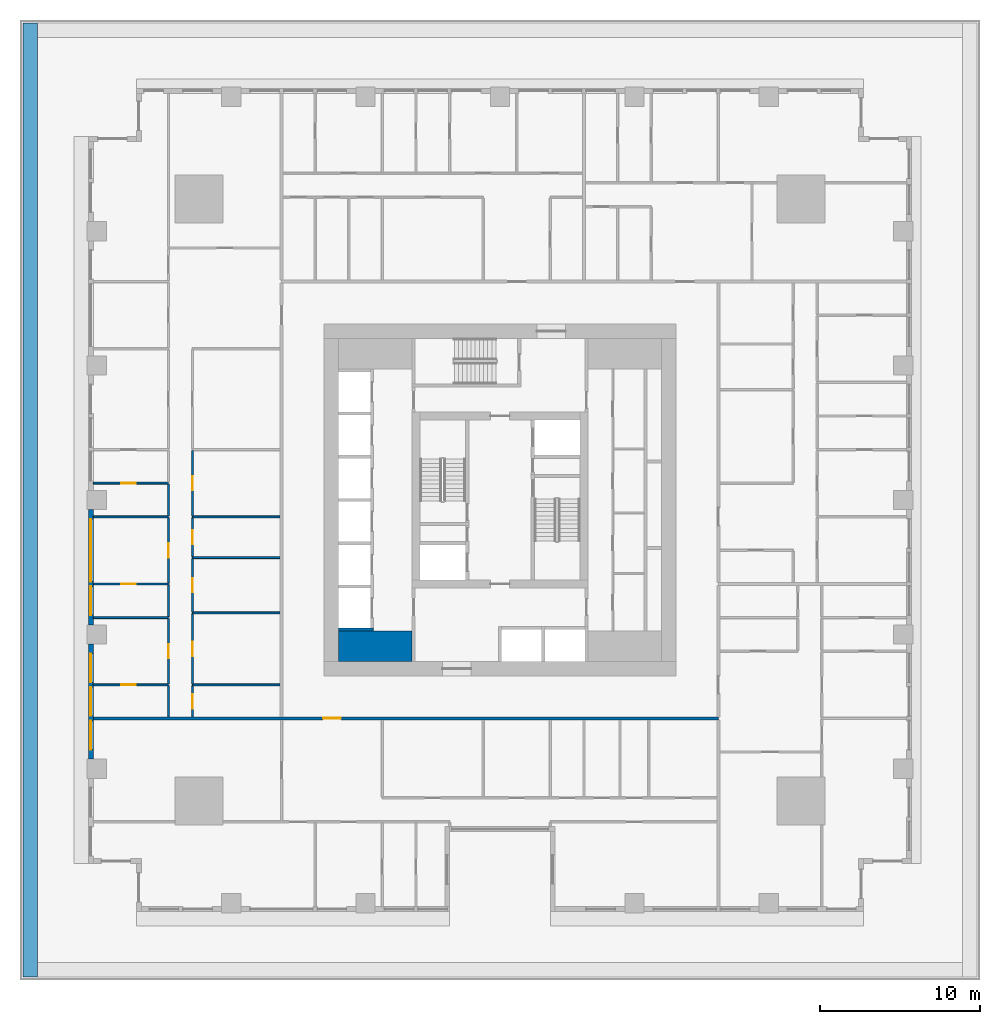
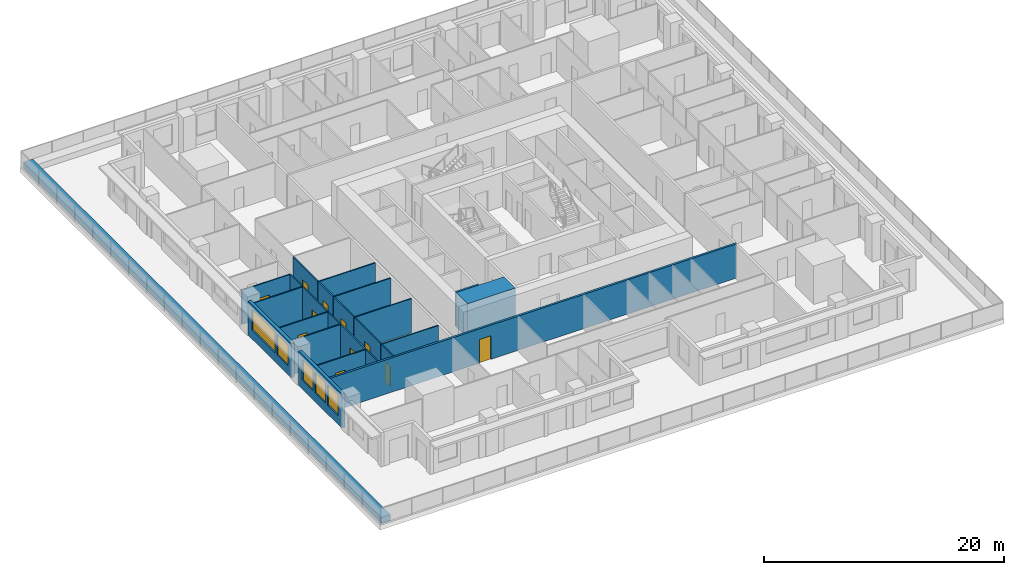
# One storey, part 3 of 16: 25 walls, 11 doors, 5 windows, 16 openings.
"""IFC4 building model written with IfcOpenShell, lengths in metres."""

from ifc_helpers import new_model, si_unit, direction, frame, frame_2d, origin, place, context, subcontext, project, spatial, rectangle, extrude, material, layer, layer_set, type_object, element, fill, save


model = new_model("IFC4")

# Units and contexts
model_context = context("Model", 3, precision=1e-05, world=origin(), true_north=direction((0.0, 1.0)))
body_context = subcontext(model_context, "Body", "Model", "MODEL_VIEW")
ifc_project = project(units=[si_unit("LENGTHUNIT", "METRE"), si_unit("AREAUNIT", "SQUARE_METRE"), si_unit("VOLUMEUNIT", "CUBIC_METRE"), si_unit("PLANEANGLEUNIT", "RADIAN"), si_unit("MASSUNIT", "GRAM", prefix="KILO")], contexts=[model_context])

# Site, building, storey
site_placement = place(None, origin())
site = spatial("IfcSite", under=ifc_project, at=site_placement, CompositionType="ELEMENT")
building_placement = place(site_placement, origin())
building = spatial("IfcBuilding", under=site, at=building_placement, Name="Khepri Terraces", CompositionType="ELEMENT")
storey_placement = place(building_placement, frame((0.0, 0.0, 27.0)))
storey = spatial("IfcBuildingStorey", under=building, at=storey_placement, Name="L05", CompositionType="ELEMENT", Elevation=27.0)

# Walls
ifc_material_1 = material(Name="Concrete C80/95", Category="concrete")
ifc_layer_1 = layer(ifc_material_1, 1.89990234375, Name="Concrete C80/95", Category="concrete")
ifc_layer_set_1 = layer_set([ifc_layer_1], Name="Concrete C80/95")
wall_type_1 = type_object("IfcWallType", Name="Core wall 1900 C80/95", PredefinedType="SHEAR", material=ifc_layer_set_1)
wall_1_placement = place(storey_placement, frame((-10.10009765625, -9.14990234375, 0.0), z_axis=(0.0, 0.0, 1.0), x_axis=(1.0, 0.0, 0.0)))
element("IfcWall", 1, at=wall_1_placement, inside=storey, type_object=wall_type_1, Name="Core wall PR01 L05", PredefinedType="SHEAR", context=body_context, shape_type="SweptSolid", body=[
    extrude(rectangle(XDim=4.60009765625, YDim=1.89990234375, at=frame_2d((2.300048828125, 0.0))), origin(), (0.0, 0.0, 1.0), 3.47998046875),
])
ifc_layer_2 = layer(ifc_material_1, 0.199951171875, Name="Concrete C80/95", Category="concrete")
ifc_layer_set_2 = layer_set([ifc_layer_2], Name="Concrete C80/95")
wall_type_2 = type_object("IfcWallType", Name="Core wall 200 C80/95", PredefinedType="SHEAR", material=ifc_layer_set_2)
wall_2_placement = place(storey_placement, frame((-10.10009765625, -8.10009765625, 0.0), z_axis=(0.0, 0.0, 1.0), x_axis=(1.0, 0.0, 0.0)))
element("IfcWall", 2, at=wall_2_placement, inside=storey, type_object=wall_type_2, Name="Core wall SH04 L05", PredefinedType="SHEAR", context=body_context, shape_type="SweptSolid", body=[
    extrude(rectangle(XDim=2.2001953125, YDim=0.199951171875, at=frame_2d((1.10009765625, 0.0))), origin(), (0.0, 0.0, 1.0), 3.47998046875),
])

# Wall, opening, door
ifc_material_2 = material(Name="Fire-rated gypsum plasterboard partition, mineral wool")
ifc_layer_3 = layer(ifc_material_2, 0.199951171875, Name="Fire-rated gypsum plasterboard partition, mineral wool")
ifc_layer_set_3 = layer_set([ifc_layer_3], Name="Fire-rated gypsum plasterboard partition, mineral wool")
wall_type_3 = type_object("IfcWallType", Name="WL-CORR-200", PredefinedType="PARTITIONING", material=ifc_layer_set_3)
wall_3_placement = place(storey_placement, frame((-25.419921875, -13.64990234375, 0.0), z_axis=(0.0, 0.0, 1.0), x_axis=(1.0, 0.0, 0.0)))
wall_3 = element("IfcWall", 3, at=wall_3_placement, inside=storey, type_object=wall_type_3, Name="Partition P-022 L05", PredefinedType="PARTITIONING", context=body_context, shape_type="SweptSolid", body=[
    extrude(rectangle(XDim=39.06982421875, YDim=0.199951171875, at=frame_2d((19.534912109375, 0.0))), origin(), (0.0, 0.0, 1.0), 3.47998046875),
])
opening_1_placement = place(wall_3_placement, frame((14.3701171875, 0.0, 0.0)))
opening_1 = element("IfcOpeningElement", 4, at=opening_1_placement, cuts=wall_3, Name="Opening D1", PredefinedType="OPENING", context=body_context, shape_type="SweptSolid", body=[
    extrude(rectangle(XDim=1.10009765625, YDim=2.39990234375, at=frame_2d((0.550048828125, 1.199951171875))), frame((0.0, 0.10986328125, 0.0), z_axis=(0.0, -1.0, 0.0), x_axis=(1.0, 0.0, 0.0)), (0.0, 0.0, 1.0), 0.219970703125),
])
ifc_material_3 = material(Name="Solid-core timber door leaf, flat entrance door", Category="wood")
door_type_1 = type_object("IfcDoorType", Name="DR-ENT-1100", OperationType="NOTDEFINED", PredefinedType="DOOR", material=ifc_material_3)
door_1_placement = place(opening_1_placement, frame((1.10009765625, 0.0, 0.0), z_axis=(0.0, 0.0, 1.0), x_axis=(-1.0, 0.0, 0.0)))
door_1 = element("IfcDoor", 5, at=door_1_placement, inside=storey, type_object=door_type_1, Name="Flat A1 entrance door", OperationType="SINGLE_SWING_RIGHT", OverallHeight=2.39990234375, OverallWidth=1.10009765625, PredefinedType="DOOR", context=body_context, shape_type="SweptSolid", body=[
    extrude(rectangle(XDim=1.10009765625, YDim=2.39990234375, at=frame_2d((0.550048828125, 1.199951171875))), frame((0.0, 0.02490234375, 0.0), z_axis=(0.0, -1.0, 0.0), x_axis=(1.0, 0.0, 0.0)), (0.0, 0.0, 1.0), 0.050048828125),
])
fill(opening_1, door_1)

# Wall, openings, windows
ifc_material_4 = material(Name="Precast concrete C50/60 warm stone", Category="masonry")
ifc_layer_4 = layer(ifc_material_4, 0.300048828125, Name="Precast concrete C50/60 warm stone", Category="masonry")
ifc_layer_set_4 = layer_set([ifc_layer_4], Name="Precast concrete C50/60 warm stone")
wall_type_4 = type_object("IfcWallType", Name="WL-EXT-PRECAST-300", PredefinedType="STANDARD", material=ifc_layer_set_4)
wall_4_placement = place(storey_placement, frame((-25.570068359375, -0.60009765625, 0.0), z_axis=(0.0, 0.0, 1.0), x_axis=(0.0, -1.0, 0.0)))
wall_4 = element("IfcWall", 6, at=wall_4_placement, inside=storey, type_object=wall_type_4, Name="External wall L05 W", PredefinedType="STANDARD", context=body_context, shape_type="SweptSolid", body=[
    extrude(rectangle(XDim=7.199951171875, YDim=0.300048828125, at=frame_2d((3.60009765625, 0.0))), origin(), (0.0, 0.0, 1.0), 3.47998046875),
])
opening_2_placement = place(wall_4_placement, frame((0.60009765625, 0.0, 0.89990234375)))
opening_2 = element("IfcOpeningElement", 7, at=opening_2_placement, cuts=wall_4, Name="Opening W2", PredefinedType="OPENING", context=body_context, shape_type="SweptSolid", body=[
    extrude(rectangle(XDim=3.89990234375, YDim=2.10009765625, at=frame_2d((1.949951171875, 1.050048828125))), frame((0.0, 0.16015625, 0.0), z_axis=(0.0, -1.0, 0.0), x_axis=(1.0, 0.0, 0.0)), (0.0, 0.0, 1.0), 0.320068359375),
])
opening_3_placement = place(wall_4_placement, frame((4.800048828125, 0.0, 0.89990234375)))
opening_3 = element("IfcOpeningElement", 8, at=opening_3_placement, cuts=wall_4, Name="Opening W1", PredefinedType="OPENING", context=body_context, shape_type="SweptSolid", body=[
    extrude(rectangle(XDim=1.800048828125, YDim=2.10009765625, at=frame_2d((0.89990234375, 1.050048828125))), frame((0.0, 0.16015625, 0.0), z_axis=(0.0, -1.0, 0.0), x_axis=(1.0, 0.0, 0.0)), (0.0, 0.0, 1.0), 0.320068359375),
])
ifc_material_5 = material(Name="Clear glass", Category="glass")
window_type_1 = type_object("IfcWindowType", Name="WIN-RES-1800x2100", PartitioningType="SINGLE_PANEL", PredefinedType="WINDOW", material=ifc_material_5)
window_1_placement = place(opening_3_placement, origin())
window_1 = element("IfcWindow", 9, at=window_1_placement, inside=storey, type_object=window_type_1, Name="Window L05 W", OverallHeight=2.10009765625, OverallWidth=1.800048828125, PartitioningType="SINGLE_PANEL", PredefinedType="WINDOW", context=body_context, shape_type="SweptSolid", body=[
    extrude(rectangle(XDim=1.800048828125, YDim=2.10009765625, at=frame_2d((0.89990234375, 1.050048828125))), frame((0.0, 0.030029296875, 0.0), z_axis=(0.0, -1.0, 0.0), x_axis=(1.0, 0.0, 0.0)), (0.0, 0.0, 1.0), 0.06005859375),
])
fill(opening_3, window_1)
window_type_2 = type_object("IfcWindowType", Name="WIN-RES-3900x2100", PartitioningType="SINGLE_PANEL", PredefinedType="WINDOW", material=ifc_material_5)
window_2_placement = place(opening_2_placement, origin())
window_2 = element("IfcWindow", 10, at=window_2_placement, inside=storey, type_object=window_type_2, Name="Window L05 W", OverallHeight=2.10009765625, OverallWidth=3.89990234375, PartitioningType="SINGLE_PANEL", PredefinedType="WINDOW", context=body_context, shape_type="SweptSolid", body=[
    extrude(rectangle(XDim=3.89990234375, YDim=2.10009765625, at=frame_2d((1.949951171875, 1.050048828125))), frame((0.0, 0.030029296875, 0.0), z_axis=(0.0, -1.0, 0.0), x_axis=(1.0, 0.0, 0.0)), (0.0, 0.0, 1.0), 0.06005859375),
])
fill(opening_2, window_2)

wall_5_placement = place(storey_placement, frame((-25.570068359375, -9.0, 0.0), z_axis=(0.0, 0.0, 1.0), x_axis=(0.0, -1.0, 0.0)))
wall_5 = element("IfcWall", 11, at=wall_5_placement, inside=storey, type_object=wall_type_4, Name="External wall L05 W", PredefinedType="STANDARD", context=body_context, shape_type="SweptSolid", body=[
    extrude(rectangle(XDim=7.199951171875, YDim=0.300048828125, at=frame_2d((3.60009765625, 0.0))), origin(), (0.0, 0.0, 1.0), 3.47998046875),
])
opening_4_placement = place(wall_5_placement, frame((0.60009765625, 0.0, 0.89990234375)))
opening_4 = element("IfcOpeningElement", 12, at=opening_4_placement, cuts=wall_5, Name="Opening W1", PredefinedType="OPENING", context=body_context, shape_type="SweptSolid", body=[
    extrude(rectangle(XDim=1.800048828125, YDim=2.10009765625, at=frame_2d((0.89990234375, 1.050048828125))), frame((0.0, 0.16015625, 0.0), z_axis=(0.0, -1.0, 0.0), x_axis=(1.0, 0.0, 0.0)), (0.0, 0.0, 1.0), 0.320068359375),
])
opening_5_placement = place(wall_5_placement, frame((2.699951171875, 0.0, 0.89990234375)))
opening_5 = element("IfcOpeningElement", 13, at=opening_5_placement, cuts=wall_5, Name="Opening W1", PredefinedType="OPENING", context=body_context, shape_type="SweptSolid", body=[
    extrude(rectangle(XDim=1.800048828125, YDim=2.10009765625, at=frame_2d((0.89990234375, 1.050048828125))), frame((0.0, 0.16015625, 0.0), z_axis=(0.0, -1.0, 0.0), x_axis=(1.0, 0.0, 0.0)), (0.0, 0.0, 1.0), 0.320068359375),
])
opening_6_placement = place(wall_5_placement, frame((4.800048828125, 0.0, 0.89990234375)))
opening_6 = element("IfcOpeningElement", 14, at=opening_6_placement, cuts=wall_5, Name="Opening W1", PredefinedType="OPENING", context=body_context, shape_type="SweptSolid", body=[
    extrude(rectangle(XDim=1.800048828125, YDim=2.10009765625, at=frame_2d((0.89990234375, 1.050048828125))), frame((0.0, 0.16015625, 0.0), z_axis=(0.0, -1.0, 0.0), x_axis=(1.0, 0.0, 0.0)), (0.0, 0.0, 1.0), 0.320068359375),
])
window_3_placement = place(opening_4_placement, origin())
window_3 = element("IfcWindow", 15, at=window_3_placement, inside=storey, type_object=window_type_1, Name="Window L05 W", OverallHeight=2.10009765625, OverallWidth=1.800048828125, PartitioningType="SINGLE_PANEL", PredefinedType="WINDOW", context=body_context, shape_type="SweptSolid", body=[
    extrude(rectangle(XDim=1.800048828125, YDim=2.10009765625, at=frame_2d((0.89990234375, 1.050048828125))), frame((0.0, 0.030029296875, 0.0), z_axis=(0.0, -1.0, 0.0), x_axis=(1.0, 0.0, 0.0)), (0.0, 0.0, 1.0), 0.06005859375),
])
fill(opening_4, window_3)
window_4_placement = place(opening_5_placement, origin())
window_4 = element("IfcWindow", 16, at=window_4_placement, inside=storey, type_object=window_type_1, Name="Window L05 W", OverallHeight=2.10009765625, OverallWidth=1.800048828125, PartitioningType="SINGLE_PANEL", PredefinedType="WINDOW", context=body_context, shape_type="SweptSolid", body=[
    extrude(rectangle(XDim=1.800048828125, YDim=2.10009765625, at=frame_2d((0.89990234375, 1.050048828125))), frame((0.0, 0.030029296875, 0.0), z_axis=(0.0, -1.0, 0.0), x_axis=(1.0, 0.0, 0.0)), (0.0, 0.0, 1.0), 0.06005859375),
])
fill(opening_5, window_4)
window_5_placement = place(opening_6_placement, origin())
window_5 = element("IfcWindow", 17, at=window_5_placement, inside=storey, type_object=window_type_1, Name="Window L05 W", OverallHeight=2.10009765625, OverallWidth=1.800048828125, PartitioningType="SINGLE_PANEL", PredefinedType="WINDOW", context=body_context, shape_type="SweptSolid", body=[
    extrude(rectangle(XDim=1.800048828125, YDim=2.10009765625, at=frame_2d((0.89990234375, 1.050048828125))), frame((0.0, 0.030029296875, 0.0), z_axis=(0.0, -1.0, 0.0), x_axis=(1.0, 0.0, 0.0)), (0.0, 0.0, 1.0), 0.06005859375),
])
fill(opening_6, window_5)

# Wall
ifc_material_6 = material(Name="Gypsum plasterboard partition")
ifc_layer_5 = layer(ifc_material_6, 0.1201171875, Name="Gypsum plasterboard partition")
ifc_layer_set_5 = layer_set([ifc_layer_5], Name="Gypsum plasterboard partition")
wall_type_5 = type_object("IfcWallType", Name="WL-PART-120", PredefinedType="PARTITIONING", material=ifc_layer_set_5)
wall_6_placement = place(storey_placement, frame((-20.719970703125, -13.550048828125, 0.0), z_axis=(0.0, 0.0, 1.0), x_axis=(0.0, 1.0, 0.0)))
element("IfcWall", 18, at=wall_6_placement, inside=storey, type_object=wall_type_5, Name="Partition P-025 L05", PredefinedType="PARTITIONING", context=body_context, shape_type="SweptSolid", body=[
    extrude(rectangle(XDim=1.93994140625, YDim=0.1201171875, at=frame_2d((0.969970703125, 0.0))), origin(), (0.0, 0.0, 1.0), 3.47998046875),
])

# Wall, opening, door
wall_7_placement = place(storey_placement, frame((-19.219970703125, -13.550048828125, 0.0), z_axis=(0.0, 0.0, 1.0), x_axis=(0.0, 1.0, 0.0)))
wall_7 = element("IfcWall", 19, at=wall_7_placement, inside=storey, type_object=wall_type_5, Name="Partition P-026 L05", PredefinedType="PARTITIONING", context=body_context, shape_type="SweptSolid", body=[
    extrude(rectangle(XDim=1.93994140625, YDim=0.1201171875, at=frame_2d((0.969970703125, 0.0))), origin(), (0.0, 0.0, 1.0), 3.47998046875),
])
opening_7_placement = place(wall_7_placement, frame((0.5, 0.0, 0.0)))
opening_7 = element("IfcOpeningElement", 20, at=opening_7_placement, cuts=wall_7, Name="Opening D3", PredefinedType="OPENING", context=body_context, shape_type="SweptSolid", body=[
    extrude(rectangle(XDim=0.89990234375, YDim=2.10009765625, at=frame_2d((0.449951171875, 1.050048828125))), frame((0.0, 0.070068359375, 0.0), z_axis=(0.0, -1.0, 0.0), x_axis=(1.0, 0.0, 0.0)), (0.0, 0.0, 1.0), 0.14013671875),
])
ifc_material_7 = material(Name="Timber door leaf", Category="wood")
door_type_2 = type_object("IfcDoorType", Name="DR-INT-900", OperationType="NOTDEFINED", PredefinedType="DOOR", material=ifc_material_7)
door_2_placement = place(opening_7_placement, frame((0.89990234375, 0.0, 0.0), z_axis=(0.0, 0.0, 1.0), x_axis=(-1.0, 0.0, 0.0)))
door_2 = element("IfcDoor", 21, at=door_2_placement, inside=storey, type_object=door_type_2, Name="Door Utility Room", OperationType="SINGLE_SWING_RIGHT", OverallHeight=2.10009765625, OverallWidth=0.89990234375, PredefinedType="DOOR", context=body_context, shape_type="SweptSolid", body=[
    extrude(rectangle(XDim=0.89990234375, YDim=2.10009765625, at=frame_2d((0.449951171875, 1.050048828125))), frame((0.0, 0.02490234375, 0.0), z_axis=(0.0, -1.0, 0.0), x_axis=(1.0, 0.0, 0.0)), (0.0, 0.0, 1.0), 0.050048828125),
])
fill(opening_7, door_2)

wall_8_placement = place(storey_placement, frame((-25.419921875, -11.550048828125, 0.0), z_axis=(0.0, 0.0, 1.0), x_axis=(1.0, 0.0, 0.0)))
wall_8 = element("IfcWall", 22, at=wall_8_placement, inside=storey, type_object=wall_type_5, Name="Partition P-029 L05", PredefinedType="PARTITIONING", context=body_context, shape_type="SweptSolid", body=[
    extrude(rectangle(XDim=4.699951171875, YDim=0.1201171875, at=frame_2d((2.35009765625, 0.0))), origin(), (0.0, 0.0, 1.0), 3.47998046875),
])
opening_8_placement = place(wall_8_placement, frame((1.75, 0.0, 0.0)))
opening_8 = element("IfcOpeningElement", 23, at=opening_8_placement, cuts=wall_8, Name="Opening D4", PredefinedType="OPENING", context=body_context, shape_type="SweptSolid", body=[
    extrude(rectangle(XDim=0.89990234375, YDim=2.10009765625, at=frame_2d((0.449951171875, 1.050048828125))), frame((0.0, 0.070068359375, 0.0), z_axis=(0.0, -1.0, 0.0), x_axis=(1.0, 0.0, 0.0)), (0.0, 0.0, 1.0), 0.14013671875),
])
ifc_material_8 = material(Name="Timber door leaf, moisture resistant", Category="wood")
door_type_3 = type_object("IfcDoorType", Name="DR-WET-900", OperationType="NOTDEFINED", PredefinedType="DOOR", material=ifc_material_8)
door_3_placement = place(opening_8_placement, frame((0.89990234375, 0.0, 0.0), z_axis=(0.0, 0.0, 1.0), x_axis=(-1.0, 0.0, 0.0)))
door_3 = element("IfcDoor", 24, at=door_3_placement, inside=storey, type_object=door_type_3, Name="Door Bathroom", OperationType="SINGLE_SWING_RIGHT", OverallHeight=2.10009765625, OverallWidth=0.89990234375, PredefinedType="DOOR", context=body_context, shape_type="SweptSolid", body=[
    extrude(rectangle(XDim=0.89990234375, YDim=2.10009765625, at=frame_2d((0.449951171875, 1.050048828125))), frame((0.0, 0.02490234375, 0.0), z_axis=(0.0, -1.0, 0.0), x_axis=(1.0, 0.0, 0.0)), (0.0, 0.0, 1.0), 0.050048828125),
])
fill(opening_8, door_3)

# Wall
wall_9_placement = place(storey_placement, frame((-19.219970703125, -11.550048828125, 0.0), z_axis=(0.0, 0.0, 1.0), x_axis=(1.0, 0.0, 0.0)))
element("IfcWall", 25, at=wall_9_placement, inside=storey, type_object=wall_type_5, Name="Partition P-030 L05", PredefinedType="PARTITIONING", context=body_context, shape_type="SweptSolid", body=[
    extrude(rectangle(XDim=5.469970703125, YDim=0.1201171875, at=frame_2d((2.73486328125, 0.0))), origin(), (0.0, 0.0, 1.0), 3.47998046875),
])

# Wall, opening, door
wall_10_placement = place(storey_placement, frame((-20.719970703125, -11.489990234375, 0.0), z_axis=(0.0, 0.0, 1.0), x_axis=(0.0, 1.0, 0.0)))
wall_10 = element("IfcWall", 26, at=wall_10_placement, inside=storey, type_object=wall_type_5, Name="Partition P-031 L05", PredefinedType="PARTITIONING", context=body_context, shape_type="SweptSolid", body=[
    extrude(rectangle(XDim=4.080078125, YDim=0.1201171875, at=frame_2d((2.0400390625, 0.0))), origin(), (0.0, 0.0, 1.0), 3.47998046875),
])
opening_9_placement = place(wall_10_placement, frame((1.590087890625, 0.0, 0.0)))
opening_9 = element("IfcOpeningElement", 27, at=opening_9_placement, cuts=wall_10, Name="Opening D3", PredefinedType="OPENING", context=body_context, shape_type="SweptSolid", body=[
    extrude(rectangle(XDim=0.89990234375, YDim=2.10009765625, at=frame_2d((0.449951171875, 1.050048828125))), frame((0.0, 0.070068359375, 0.0), z_axis=(0.0, -1.0, 0.0), x_axis=(1.0, 0.0, 0.0)), (0.0, 0.0, 1.0), 0.14013671875),
])
door_4_placement = place(opening_9_placement, origin())
door_4 = element("IfcDoor", 28, at=door_4_placement, inside=storey, type_object=door_type_2, Name="Door Bedroom", OperationType="SINGLE_SWING_RIGHT", OverallHeight=2.10009765625, OverallWidth=0.89990234375, PredefinedType="DOOR", context=body_context, shape_type="SweptSolid", body=[
    extrude(rectangle(XDim=0.89990234375, YDim=2.10009765625, at=frame_2d((0.449951171875, 1.050048828125))), frame((0.0, 0.02490234375, 0.0), z_axis=(0.0, -1.0, 0.0), x_axis=(1.0, 0.0, 0.0)), (0.0, 0.0, 1.0), 0.050048828125),
])
fill(opening_9, door_4)

wall_11_placement = place(storey_placement, frame((-19.219970703125, -11.489990234375, 0.0), z_axis=(0.0, 0.0, 1.0), x_axis=(0.0, 1.0, 0.0)))
wall_11 = element("IfcWall", 29, at=wall_11_placement, inside=storey, type_object=wall_type_5, Name="Partition P-032 L05", PredefinedType="PARTITIONING", context=body_context, shape_type="SweptSolid", body=[
    extrude(rectangle(XDim=4.3798828125, YDim=0.1201171875, at=frame_2d((2.18994140625, 0.0))), origin(), (0.0, 0.0, 1.0), 3.47998046875),
])
opening_10_placement = place(wall_11_placement, frame((1.739990234375, 0.0, 0.0)))
opening_10 = element("IfcOpeningElement", 30, at=opening_10_placement, cuts=wall_11, Name="Opening D4", PredefinedType="OPENING", context=body_context, shape_type="SweptSolid", body=[
    extrude(rectangle(XDim=0.89990234375, YDim=2.10009765625, at=frame_2d((0.449951171875, 1.050048828125))), frame((0.0, 0.070068359375, 0.0), z_axis=(0.0, -1.0, 0.0), x_axis=(1.0, 0.0, 0.0)), (0.0, 0.0, 1.0), 0.14013671875),
])
door_5_placement = place(opening_10_placement, frame((0.89990234375, 0.0, 0.0), z_axis=(0.0, 0.0, 1.0), x_axis=(-1.0, 0.0, 0.0)))
door_5 = element("IfcDoor", 31, at=door_5_placement, inside=storey, type_object=door_type_3, Name="Door Guest Bathroom", OperationType="SINGLE_SWING_RIGHT", OverallHeight=2.10009765625, OverallWidth=0.89990234375, PredefinedType="DOOR", context=body_context, shape_type="SweptSolid", body=[
    extrude(rectangle(XDim=0.89990234375, YDim=2.10009765625, at=frame_2d((0.449951171875, 1.050048828125))), frame((0.0, 0.02490234375, 0.0), z_axis=(0.0, -1.0, 0.0), x_axis=(1.0, 0.0, 0.0)), (0.0, 0.0, 1.0), 0.050048828125),
])
fill(opening_10, door_5)

# Walls
wall_12_placement = place(storey_placement, frame((-25.419921875, -7.35009765625, 0.0), z_axis=(0.0, 0.0, 1.0), x_axis=(1.0, 0.0, 0.0)))
element("IfcWall", 32, at=wall_12_placement, inside=storey, type_object=wall_type_5, Name="Partition P-037 L05", PredefinedType="PARTITIONING", context=body_context, shape_type="SweptSolid", body=[
    extrude(rectangle(XDim=4.699951171875, YDim=0.1201171875, at=frame_2d((2.35009765625, 0.0))), origin(), (0.0, 0.0, 1.0), 3.47998046875),
])
wall_13_placement = place(storey_placement, frame((-20.719970703125, -7.2900390625, 0.0), z_axis=(0.0, 0.0, 1.0), x_axis=(0.0, 1.0, 0.0)))
element("IfcWall", 33, at=wall_13_placement, inside=storey, type_object=wall_type_5, Name="Partition P-040 L05", PredefinedType="PARTITIONING", context=body_context, shape_type="SweptSolid", body=[
    extrude(rectangle(XDim=1.97998046875, YDim=0.1201171875, at=frame_2d((0.989990234375, 0.0))), origin(), (0.0, 0.0, 1.0), 3.47998046875),
])
wall_14_placement = place(storey_placement, frame((-19.219970703125, -7.050048828125, 0.0), z_axis=(0.0, 0.0, 1.0), x_axis=(1.0, 0.0, 0.0)))
element("IfcWall", 34, at=wall_14_placement, inside=storey, type_object=wall_type_5, Name="Partition P-043 L05", PredefinedType="PARTITIONING", context=body_context, shape_type="SweptSolid", body=[
    extrude(rectangle(XDim=5.469970703125, YDim=0.1201171875, at=frame_2d((2.73486328125, 0.0))), origin(), (0.0, 0.0, 1.0), 3.47998046875),
])

# Wall, opening, door
wall_15_placement = place(storey_placement, frame((-19.219970703125, -6.989990234375, 0.0), z_axis=(0.0, 0.0, 1.0), x_axis=(0.0, 1.0, 0.0)))
wall_15 = element("IfcWall", 35, at=wall_15_placement, inside=storey, type_object=wall_type_5, Name="Partition P-044 L05", PredefinedType="PARTITIONING", context=body_context, shape_type="SweptSolid", body=[
    extrude(rectangle(XDim=3.330078125, YDim=0.1201171875, at=frame_2d((1.6650390625, 0.0))), origin(), (0.0, 0.0, 1.0), 3.47998046875),
])
opening_11_placement = place(wall_15_placement, frame((1.215087890625, 0.0, 0.0)))
opening_11 = element("IfcOpeningElement", 36, at=opening_11_placement, cuts=wall_15, Name="Opening D3", PredefinedType="OPENING", context=body_context, shape_type="SweptSolid", body=[
    extrude(rectangle(XDim=0.89990234375, YDim=2.10009765625, at=frame_2d((0.449951171875, 1.050048828125))), frame((0.0, 0.070068359375, 0.0), z_axis=(0.0, -1.0, 0.0), x_axis=(1.0, 0.0, 0.0)), (0.0, 0.0, 1.0), 0.14013671875),
])
door_6_placement = place(opening_11_placement, frame((0.89990234375, 0.0, 0.0), z_axis=(0.0, 0.0, 1.0), x_axis=(-1.0, 0.0, 0.0)))
door_6 = element("IfcDoor", 37, at=door_6_placement, inside=storey, type_object=door_type_2, Name="Door Utility Room", OperationType="SINGLE_SWING_LEFT", OverallHeight=2.10009765625, OverallWidth=0.89990234375, PredefinedType="DOOR", context=body_context, shape_type="SweptSolid", body=[
    extrude(rectangle(XDim=0.89990234375, YDim=2.10009765625, at=frame_2d((0.449951171875, 1.050048828125))), frame((0.0, 0.02490234375, 0.0), z_axis=(0.0, -1.0, 0.0), x_axis=(1.0, 0.0, 0.0)), (0.0, 0.0, 1.0), 0.050048828125),
])
fill(opening_11, door_6)

wall_16_placement = place(storey_placement, frame((-25.419921875, -5.25, 0.0), z_axis=(0.0, 0.0, 1.0), x_axis=(1.0, 0.0, 0.0)))
wall_16 = element("IfcWall", 38, at=wall_16_placement, inside=storey, type_object=wall_type_5, Name="Partition P-045 L05", PredefinedType="PARTITIONING", context=body_context, shape_type="SweptSolid", body=[
    extrude(rectangle(XDim=4.699951171875, YDim=0.1201171875, at=frame_2d((2.35009765625, 0.0))), origin(), (0.0, 0.0, 1.0), 3.47998046875),
])
opening_12_placement = place(wall_16_placement, frame((1.75, 0.0, 0.0)))
opening_12 = element("IfcOpeningElement", 39, at=opening_12_placement, cuts=wall_16, Name="Opening D4", PredefinedType="OPENING", context=body_context, shape_type="SweptSolid", body=[
    extrude(rectangle(XDim=0.89990234375, YDim=2.10009765625, at=frame_2d((0.449951171875, 1.050048828125))), frame((0.0, 0.070068359375, 0.0), z_axis=(0.0, -1.0, 0.0), x_axis=(1.0, 0.0, 0.0)), (0.0, 0.0, 1.0), 0.14013671875),
])
door_7_placement = place(opening_12_placement, frame((0.89990234375, 0.0, 0.0), z_axis=(0.0, 0.0, 1.0), x_axis=(-1.0, 0.0, 0.0)))
door_7 = element("IfcDoor", 40, at=door_7_placement, inside=storey, type_object=door_type_3, Name="Door Bathroom", OperationType="SINGLE_SWING_RIGHT", OverallHeight=2.10009765625, OverallWidth=0.89990234375, PredefinedType="DOOR", context=body_context, shape_type="SweptSolid", body=[
    extrude(rectangle(XDim=0.89990234375, YDim=2.10009765625, at=frame_2d((0.449951171875, 1.050048828125))), frame((0.0, 0.02490234375, 0.0), z_axis=(0.0, -1.0, 0.0), x_axis=(1.0, 0.0, 0.0)), (0.0, 0.0, 1.0), 0.050048828125),
])
fill(opening_12, door_7)

wall_17_placement = place(storey_placement, frame((-20.719970703125, -5.18994140625, 0.0), z_axis=(0.0, 0.0, 1.0), x_axis=(0.0, 1.0, 0.0)))
wall_17 = element("IfcWall", 41, at=wall_17_placement, inside=storey, type_object=wall_type_5, Name="Partition P-047 L05", PredefinedType="PARTITIONING", context=body_context, shape_type="SweptSolid", body=[
    extrude(rectangle(XDim=4.079833984375, YDim=0.1201171875, at=frame_2d((2.0400390625, 0.0))), origin(), (0.0, 0.0, 1.0), 3.47998046875),
])
opening_13_placement = place(wall_17_placement, frame((1.590087890625, 0.0, 0.0)))
opening_13 = element("IfcOpeningElement", 42, at=opening_13_placement, cuts=wall_17, Name="Opening D3", PredefinedType="OPENING", context=body_context, shape_type="SweptSolid", body=[
    extrude(rectangle(XDim=0.89990234375, YDim=2.10009765625, at=frame_2d((0.449951171875, 1.050048828125))), frame((0.0, 0.070068359375, 0.0), z_axis=(0.0, -1.0, 0.0), x_axis=(1.0, 0.0, 0.0)), (0.0, 0.0, 1.0), 0.14013671875),
])
door_8_placement = place(opening_13_placement, origin())
door_8 = element("IfcDoor", 43, at=door_8_placement, inside=storey, type_object=door_type_2, Name="Door Bedroom", OperationType="SINGLE_SWING_RIGHT", OverallHeight=2.10009765625, OverallWidth=0.89990234375, PredefinedType="DOOR", context=body_context, shape_type="SweptSolid", body=[
    extrude(rectangle(XDim=0.89990234375, YDim=2.10009765625, at=frame_2d((0.449951171875, 1.050048828125))), frame((0.0, 0.02490234375, 0.0), z_axis=(0.0, -1.0, 0.0), x_axis=(1.0, 0.0, 0.0)), (0.0, 0.0, 1.0), 0.050048828125),
])
fill(opening_13, door_8)

# Wall
wall_18_placement = place(storey_placement, frame((-19.219970703125, -3.60009765625, 0.0), z_axis=(0.0, 0.0, 1.0), x_axis=(1.0, 0.0, 0.0)))
element("IfcWall", 44, at=wall_18_placement, inside=storey, type_object=wall_type_5, Name="Partition P-051 L05", PredefinedType="PARTITIONING", context=body_context, shape_type="SweptSolid", body=[
    extrude(rectangle(XDim=5.469970703125, YDim=0.1201171875, at=frame_2d((2.73486328125, 0.0))), origin(), (0.0, 0.0, 1.0), 3.47998046875),
])

# Wall, opening, door
wall_19_placement = place(storey_placement, frame((-19.219970703125, -3.5400390625, 0.0), z_axis=(0.0, 0.0, 1.0), x_axis=(0.0, 1.0, 0.0)))
wall_19 = element("IfcWall", 45, at=wall_19_placement, inside=storey, type_object=wall_type_5, Name="Partition P-052 L05", PredefinedType="PARTITIONING", context=body_context, shape_type="SweptSolid", body=[
    extrude(rectangle(XDim=2.429931640625, YDim=0.1201171875, at=frame_2d((1.21484375, 0.0))), origin(), (0.0, 0.0, 1.0), 3.47998046875),
])
opening_14_placement = place(wall_19_placement, frame((0.764892578125, 0.0, 0.0)))
opening_14 = element("IfcOpeningElement", 46, at=opening_14_placement, cuts=wall_19, Name="Opening D4", PredefinedType="OPENING", context=body_context, shape_type="SweptSolid", body=[
    extrude(rectangle(XDim=0.89990234375, YDim=2.10009765625, at=frame_2d((0.449951171875, 1.050048828125))), frame((0.0, 0.070068359375, 0.0), z_axis=(0.0, -1.0, 0.0), x_axis=(1.0, 0.0, 0.0)), (0.0, 0.0, 1.0), 0.14013671875),
])
door_9_placement = place(opening_14_placement, frame((0.89990234375, 0.0, 0.0), z_axis=(0.0, 0.0, 1.0), x_axis=(-1.0, 0.0, 0.0)))
door_9 = element("IfcDoor", 47, at=door_9_placement, inside=storey, type_object=door_type_3, Name="Door Powder Room", OperationType="SINGLE_SWING_LEFT", OverallHeight=2.10009765625, OverallWidth=0.89990234375, PredefinedType="DOOR", context=body_context, shape_type="SweptSolid", body=[
    extrude(rectangle(XDim=0.89990234375, YDim=2.10009765625, at=frame_2d((0.449951171875, 1.050048828125))), frame((0.0, 0.02490234375, 0.0), z_axis=(0.0, -1.0, 0.0), x_axis=(1.0, 0.0, 0.0)), (0.0, 0.0, 1.0), 0.050048828125),
])
fill(opening_14, door_9)

# Walls
wall_20_placement = place(storey_placement, frame((-25.419921875, -1.050048828125, 0.0), z_axis=(0.0, 0.0, 1.0), x_axis=(1.0, 0.0, 0.0)))
element("IfcWall", 48, at=wall_20_placement, inside=storey, type_object=wall_type_5, Name="Partition P-054 L05", PredefinedType="PARTITIONING", context=body_context, shape_type="SweptSolid", body=[
    extrude(rectangle(XDim=4.699951171875, YDim=0.1201171875, at=frame_2d((2.35009765625, 0.0))), origin(), (0.0, 0.0, 1.0), 3.47998046875),
])
wall_21_placement = place(storey_placement, frame((-19.219970703125, -1.050048828125, 0.0), z_axis=(0.0, 0.0, 1.0), x_axis=(1.0, 0.0, 0.0)))
element("IfcWall", 49, at=wall_21_placement, inside=storey, type_object=wall_type_5, Name="Partition P-055 L05", PredefinedType="PARTITIONING", context=body_context, shape_type="SweptSolid", body=[
    extrude(rectangle(XDim=5.469970703125, YDim=0.1201171875, at=frame_2d((2.73486328125, 0.0))), origin(), (0.0, 0.0, 1.0), 3.47998046875),
])
wall_22_placement = place(storey_placement, frame((-20.719970703125, -0.989990234375, 0.0), z_axis=(0.0, 0.0, 1.0), x_axis=(0.0, 1.0, 0.0)))
element("IfcWall", 50, at=wall_22_placement, inside=storey, type_object=wall_type_5, Name="Partition P-057 L05", PredefinedType="PARTITIONING", context=body_context, shape_type="SweptSolid", body=[
    extrude(rectangle(XDim=1.97998046875, YDim=0.1201171875, at=frame_2d((0.989990234375, 0.0))), origin(), (0.0, 0.0, 1.0), 3.47998046875),
])

# Wall, opening, door
wall_23_placement = place(storey_placement, frame((-19.219970703125, -0.989990234375, 0.0), z_axis=(0.0, 0.0, 1.0), x_axis=(0.0, 1.0, 0.0)))
wall_23 = element("IfcWall", 51, at=wall_23_placement, inside=storey, type_object=wall_type_5, Name="Partition P-058 L05", PredefinedType="PARTITIONING", context=body_context, shape_type="SweptSolid", body=[
    extrude(rectangle(XDim=4.080078125, YDim=0.1201171875, at=frame_2d((2.0400390625, 0.0))), origin(), (0.0, 0.0, 1.0), 3.47998046875),
])
opening_15_placement = place(wall_23_placement, frame((1.590087890625, 0.0, 0.0)))
opening_15 = element("IfcOpeningElement", 52, at=opening_15_placement, cuts=wall_23, Name="Opening D3", PredefinedType="OPENING", context=body_context, shape_type="SweptSolid", body=[
    extrude(rectangle(XDim=0.89990234375, YDim=2.10009765625, at=frame_2d((0.449951171875, 1.050048828125))), frame((0.0, 0.070068359375, 0.0), z_axis=(0.0, -1.0, 0.0), x_axis=(1.0, 0.0, 0.0)), (0.0, 0.0, 1.0), 0.14013671875),
])
door_10_placement = place(opening_15_placement, frame((0.89990234375, 0.0, 0.0), z_axis=(0.0, 0.0, 1.0), x_axis=(-1.0, 0.0, 0.0)))
door_10 = element("IfcDoor", 53, at=door_10_placement, inside=storey, type_object=door_type_2, Name="Door Service Store", OperationType="SINGLE_SWING_LEFT", OverallHeight=2.10009765625, OverallWidth=0.89990234375, PredefinedType="DOOR", context=body_context, shape_type="SweptSolid", body=[
    extrude(rectangle(XDim=0.89990234375, YDim=2.10009765625, at=frame_2d((0.449951171875, 1.050048828125))), frame((0.0, 0.02490234375, 0.0), z_axis=(0.0, -1.0, 0.0), x_axis=(1.0, 0.0, 0.0)), (0.0, 0.0, 1.0), 0.050048828125),
])
fill(opening_15, door_10)

wall_24_placement = place(storey_placement, frame((-25.419921875, 1.050048828125, 0.0), z_axis=(0.0, 0.0, 1.0), x_axis=(1.0, 0.0, 0.0)))
wall_24 = element("IfcWall", 54, at=wall_24_placement, inside=storey, type_object=wall_type_5, Name="Partition P-060 L05", PredefinedType="PARTITIONING", context=body_context, shape_type="SweptSolid", body=[
    extrude(rectangle(XDim=4.699951171875, YDim=0.1201171875, at=frame_2d((2.35009765625, 0.0))), origin(), (0.0, 0.0, 1.0), 3.47998046875),
])
opening_16_placement = place(wall_24_placement, frame((1.75, 0.0, 0.0)))
opening_16 = element("IfcOpeningElement", 55, at=opening_16_placement, cuts=wall_24, Name="Opening D4", PredefinedType="OPENING", context=body_context, shape_type="SweptSolid", body=[
    extrude(rectangle(XDim=0.89990234375, YDim=2.10009765625, at=frame_2d((0.449951171875, 1.050048828125))), frame((0.0, 0.070068359375, 0.0), z_axis=(0.0, -1.0, 0.0), x_axis=(1.0, 0.0, 0.0)), (0.0, 0.0, 1.0), 0.14013671875),
])
door_11_placement = place(opening_16_placement, frame((0.89990234375, 0.0, 0.0), z_axis=(0.0, 0.0, 1.0), x_axis=(-1.0, 0.0, 0.0)))
door_11 = element("IfcDoor", 56, at=door_11_placement, inside=storey, type_object=door_type_3, Name="Door Bathroom", OperationType="SINGLE_SWING_RIGHT", OverallHeight=2.10009765625, OverallWidth=0.89990234375, PredefinedType="DOOR", context=body_context, shape_type="SweptSolid", body=[
    extrude(rectangle(XDim=0.89990234375, YDim=2.10009765625, at=frame_2d((0.449951171875, 1.050048828125))), frame((0.0, 0.02490234375, 0.0), z_axis=(0.0, -1.0, 0.0), x_axis=(1.0, 0.0, 0.0)), (0.0, 0.0, 1.0), 0.050048828125),
])
fill(opening_16, door_11)

# Wall
ifc_layer_6 = layer(ifc_material_4, 0.89990234375, Name="Precast concrete C50/60 warm stone", Category="masonry")
ifc_layer_set_6 = layer_set([ifc_layer_6], Name="Precast concrete C50/60 warm stone")
wall_type_6 = type_object("IfcWallType", Name="WL-PLANTER-900", PredefinedType="MOVABLE", material=ifc_layer_set_6)
wall_25_placement = place(storey_placement, frame((-29.35009765625, -29.800048828125, 0.0), z_axis=(0.0, 0.0, 1.0), x_axis=(0.0, 1.0, 0.0)))
element("IfcWall", 57, at=wall_25_placement, inside=storey, type_object=wall_type_6, Name="Planter L05", PredefinedType="MOVABLE", context=body_context, shape_type="SweptSolid", body=[
    extrude(rectangle(XDim=59.60009765625, YDim=0.89990234375, at=frame_2d((29.800048828125, 0.0))), origin(), (0.0, 0.0, 1.0), 0.60009765625),
])

save(model, "model.ifc")
